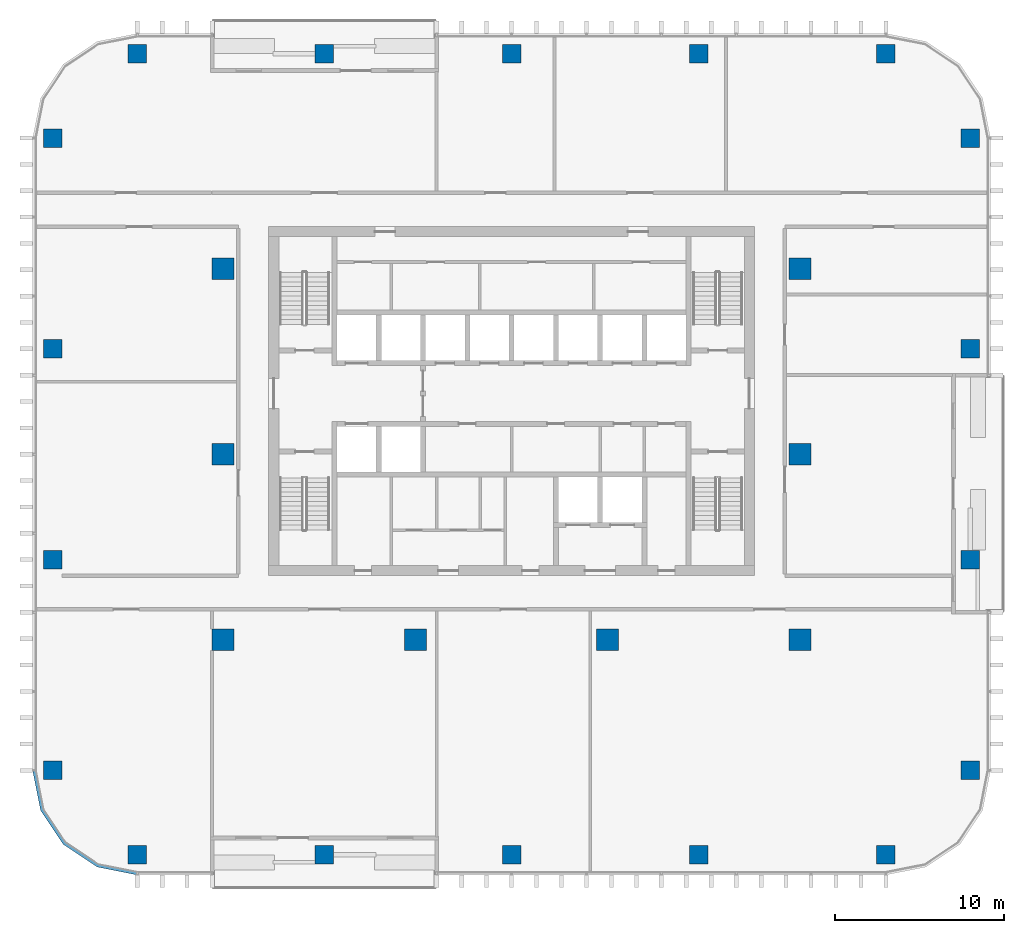
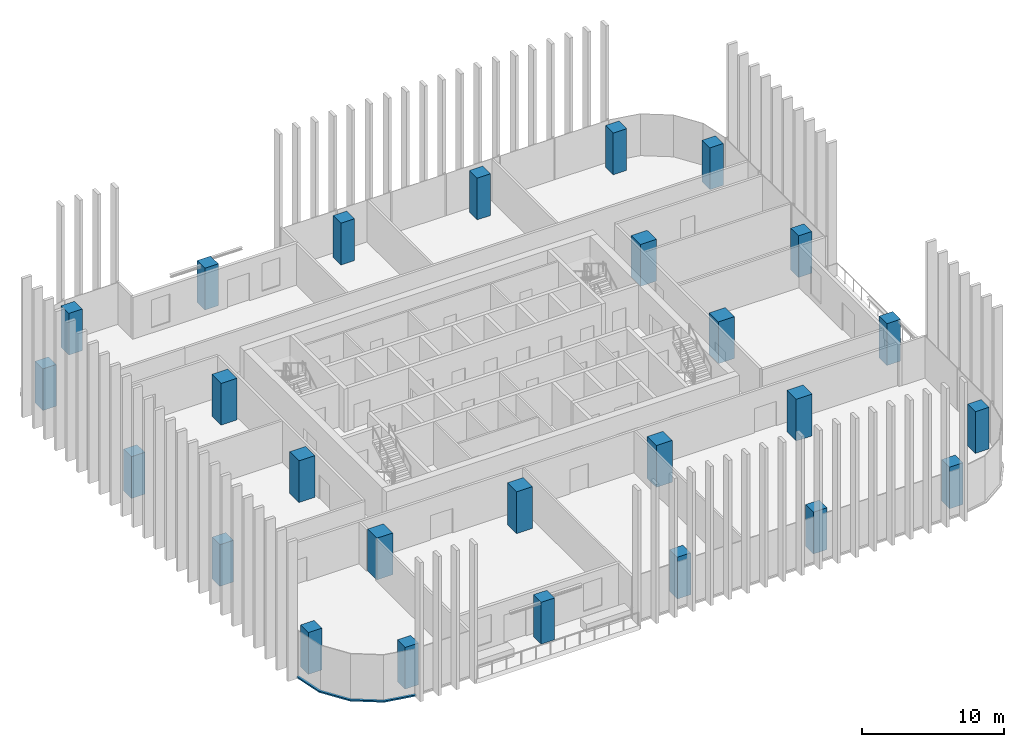
# One storey, part 1 of 15: 26 columns, 1 member, 1 element without a shape of its own.
"""IFC4 building model written with IfcOpenShell, lengths in metres."""

from ifc_helpers import new_model, si_unit, direction, frame, origin, origin_2d, place, context, subcontext, project, spatial, polyline, rectangle, outline, extrude, material, material_profile, profile_set, type_object, element, aggregate, save


model = new_model("IFC4")

# Units and contexts
model_context = context("Model", 3, precision=1e-05, world=origin(), true_north=direction((0.0, 1.0)))
body_context = subcontext(model_context, "Body", "Model", "MODEL_VIEW")
ifc_project = project(units=[si_unit("LENGTHUNIT", "METRE"), si_unit("AREAUNIT", "SQUARE_METRE"), si_unit("VOLUMEUNIT", "CUBIC_METRE"), si_unit("PLANEANGLEUNIT", "RADIAN"), si_unit("MASSUNIT", "GRAM", prefix="KILO")], contexts=[model_context])

# Site, building, storey
site_placement = place(None, origin())
site = spatial("IfcSite", under=ifc_project, at=site_placement, CompositionType="ELEMENT")
building_placement = place(site_placement, origin())
building = spatial("IfcBuilding", under=site, at=building_placement, Name="Mopane Tessera Tower", CompositionType="ELEMENT")
storey_placement = place(building_placement, frame((0.0, 0.0, 211.0)))
storey = spatial("IfcBuildingStorey", under=building, at=storey_placement, Name="L44", CompositionType="ELEMENT", Elevation=211.0)

# Columns
ifc_material_1 = material(Name="Concrete C50/60", Category="concrete")
ifc_material_profile_1 = material_profile(ifc_material_1, rectangle(XDim=1.300048828125, YDim=1.300048828125, at=origin_2d()))
ifc_profile_set_1 = profile_set([ifc_material_profile_1], Name="Concrete C50/60")
column_type_1 = type_object("IfcColumnType", Name="Interior column 1300 x 1300 C50/60", PredefinedType="COLUMN", material=ifc_profile_set_1)
for number, where, z_axis, x_axis, name in (
    (1, (-17.10009765625, -11.0, 0.0), (0.0, 0.0, 1.0), (1.0, 0.0, 0.0), "Interior column I1A L44"),
    (2, (-17.10009765625, 0.0, 0.0), (0.0, 0.0, 1.0), (1.0, 0.0, 0.0), "Interior column I1B L44"),
    (3, (-17.10009765625, 11.0, 0.0), (0.0, 0.0, 1.0), (1.0, 0.0, 0.0), "Interior column I1C L44"),
    (4, (-5.699951171875, -11.0, 0.0), (0.0, 0.0, 1.0), (1.0, 0.0, 0.0), "Interior column I2A L44"),
    (5, (5.699951171875, -11.0, 0.0), (0.0, 0.0, 1.0), (1.0, 0.0, 0.0), "Interior column I3A L44"),
    (6, (17.10009765625, -11.0, 0.0), (0.0, 0.0, 1.0), (1.0, 0.0, 0.0), "Interior column I4A L44"),
    (7, (17.10009765625, 0.0, 0.0), (0.0, 0.0, 1.0), (1.0, 0.0, 0.0), "Interior column I4B L44"),
    (8, (17.10009765625, 11.0, 0.0), (0.0, 0.0, 1.0), (1.0, 0.0, 0.0), "Interior column I4C L44"),
):
    element("IfcColumn", number, at=place(storey_placement, frame(where, z_axis=z_axis, x_axis=x_axis)), inside=storey, type_object=column_type_1, Name=name, PredefinedType="COLUMN", context=body_context, shape_type="SweptSolid", body=[
        extrude(rectangle(XDim=1.300048828125, YDim=1.300048828125, at=origin_2d()), origin(), (0.0, 0.0, 1.0), 3.60009765625),
    ])
ifc_material_2 = material(Name="Concrete C50/60", Category="concrete")
ifc_material_profile_2 = material_profile(ifc_material_2, rectangle(XDim=1.10009765625, YDim=1.10009765625, at=origin_2d()))
ifc_profile_set_2 = profile_set([ifc_material_profile_2], Name="Concrete C50/60")
column_type_2 = type_object("IfcColumnType", Name="Ring column 1100 x 1100 C50/60", PredefinedType="COLUMN", material=ifc_profile_set_2)
for number, where, z_axis, x_axis, name in (
    (9, (-22.199951171875, -23.75, 0.0), (0.0, 0.0, 1.0), (1.0, 0.0, 0.0), "Ring column S0 L44"),
    (10, (-11.10009765625, -23.75, 0.0), (0.0, 0.0, 1.0), (1.0, 0.0, 0.0), "Ring column S1 L44"),
    (11, (0.0, -23.75, 0.0), (0.0, 0.0, 1.0), (1.0, 0.0, 0.0), "Ring column S2 L44"),
    (12, (11.10009765625, -23.75, 0.0), (0.0, 0.0, 1.0), (1.0, 0.0, 0.0), "Ring column S3 L44"),
    (13, (22.199951171875, -23.75, 0.0), (0.0, 0.0, 1.0), (1.0, 0.0, 0.0), "Ring column S4 L44"),
    (14, (27.199951171875, -18.75, 0.0), (0.0, 0.0, 1.0), (1.0, 0.0, 0.0), "Ring column E0 L44"),
    (15, (27.199951171875, -6.25, 0.0), (0.0, 0.0, 1.0), (1.0, 0.0, 0.0), "Ring column E1 L44"),
    (16, (27.199951171875, 6.25, 0.0), (0.0, 0.0, 1.0), (1.0, 0.0, 0.0), "Ring column E2 L44"),
    (17, (27.199951171875, 18.75, 0.0), (0.0, 0.0, 1.0), (1.0, 0.0, 0.0), "Ring column E3 L44"),
    (18, (22.199951171875, 23.75, 0.0), (0.0, 0.0, 1.0), (1.0, 0.0, 0.0), "Ring column N0 L44"),
    (19, (11.10009765625, 23.75, 0.0), (0.0, 0.0, 1.0), (1.0, 0.0, 0.0), "Ring column N1 L44"),
    (20, (0.0, 23.75, 0.0), (0.0, 0.0, 1.0), (1.0, 0.0, 0.0), "Ring column N2 L44"),
    (21, (-11.10009765625, 23.75, 0.0), (0.0, 0.0, 1.0), (1.0, 0.0, 0.0), "Ring column N3 L44"),
    (22, (-22.199951171875, 23.75, 0.0), (0.0, 0.0, 1.0), (1.0, 0.0, 0.0), "Ring column N4 L44"),
    (23, (-27.199951171875, 18.75, 0.0), (0.0, 0.0, 1.0), (1.0, 0.0, 0.0), "Ring column W0 L44"),
    (24, (-27.199951171875, 6.25, 0.0), (0.0, 0.0, 1.0), (1.0, 0.0, 0.0), "Ring column W1 L44"),
    (25, (-27.199951171875, -6.25, 0.0), (0.0, 0.0, 1.0), (1.0, 0.0, 0.0), "Ring column W2 L44"),
    (26, (-27.199951171875, -18.75, 0.0), (0.0, 0.0, 1.0), (1.0, 0.0, 0.0), "Ring column W3 L44"),
):
    element("IfcColumn", number, at=place(storey_placement, frame(where, z_axis=z_axis, x_axis=x_axis)), inside=storey, type_object=column_type_2, Name=name, PredefinedType="COLUMN", context=body_context, shape_type="SweptSolid", body=[
        extrude(rectangle(XDim=1.10009765625, YDim=1.10009765625, at=origin_2d()), origin(), (0.0, 0.0, 1.0), 3.60009765625),
    ])

# Curtain wall, member
ifc_material_3 = material(Name="Aluminium frame", Category="aluminium")
curtain_wall_type = type_object("IfcCurtainWallType", Name="Unitised curtain wall", PredefinedType="NOTDEFINED", material=ifc_material_3)
curtain_wall_placement = place(storey_placement, origin())
curtain_wall = element("IfcCurtainWall", 27, at=curtain_wall_placement, inside=storey, type_object=curtain_wall_type, Name="e:cw:L44:CW", PredefinedType="NOTDEFINED")
ifc_material_4 = material(Name="Aluminium frame", Category="aluminium")
ifc_material_profile_3 = material_profile(ifc_material_4, rectangle(XDim=0.199951171875, YDim=0.1201171875, at=origin_2d()))
ifc_profile_set_3 = profile_set([ifc_material_profile_3], Name="Aluminium frame")
member_type = type_object("IfcMemberType", Name="Aluminium transom 200 x 120", PredefinedType="USERDEFINED", material=ifc_profile_set_3)
member_placement = place(storey_placement, frame((0.0, 0.0, -0.39990234375)))
member = element("IfcMember", 28, at=member_placement, type_object=member_type, Name="e:cw:L44:CW:tr", ObjectType="TRANSOM", PredefinedType="USERDEFINED", context=body_context, shape_type="SweptSolid", body=[
    extrude(outline(polyline([(-28.199951171875, -18.75), (-27.7431640625, -21.046142578125), (-26.442626953125, -22.99267578125), (-24.49609375, -24.293212890625), (-22.199951171875, -24.75), (-22.199951171875, -24.949951171875), (-24.57275390625, -24.47802734375), (-26.583984375, -23.134033203125), (-27.927978515625, -21.12255859375), (-28.39990234375, -18.75), (-28.199951171875, -18.75)])), origin(), (0.0, 0.0, 1.0), 0.119873046875),
])
aggregate(curtain_wall, [member])

save(model, "model.ifc")
